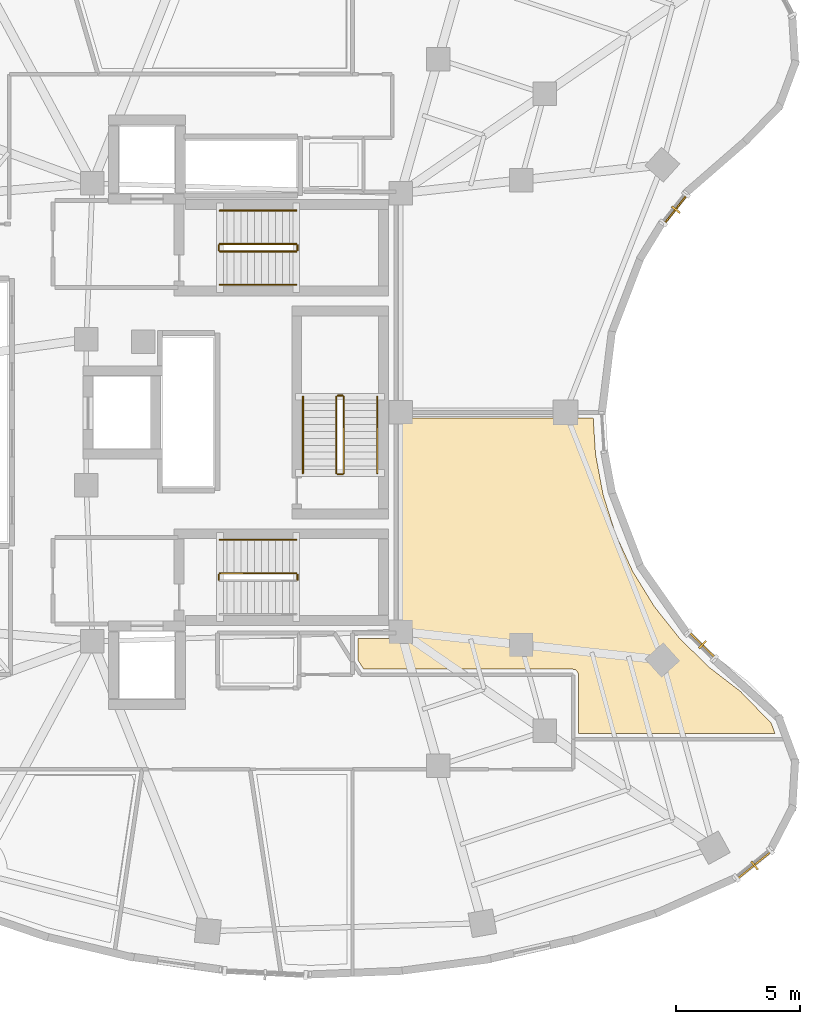
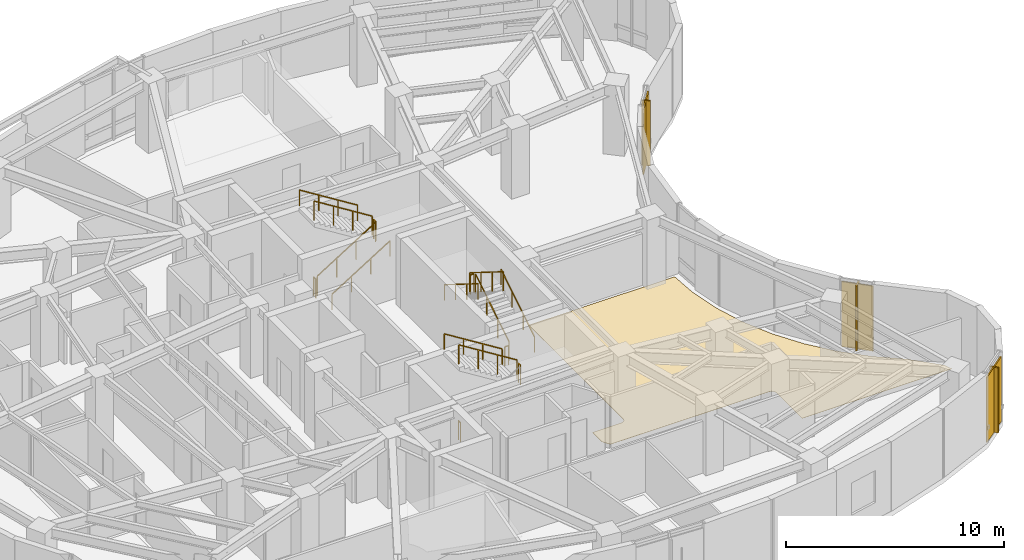
# One storey, part 14 of 15: 16 railings, 6 shading devices, 1 covering.
"""IFC4 building model written with IfcOpenShell, lengths in metres."""

from ifc_helpers import new_model, si_unit, direction, frame, origin, origin_2d, place, context, subcontext, project, spatial, polyline, rectangle, outline, extrude, material, layer, layer_set, type_object, element, save


model = new_model("IFC4")

# Units and contexts
model_context = context("Model", 3, precision=1e-05, world=origin(), true_north=direction((0.0, 1.0)))
body_context = subcontext(model_context, "Body", "Model", "MODEL_VIEW")
ifc_project = project(units=[si_unit("LENGTHUNIT", "METRE"), si_unit("AREAUNIT", "SQUARE_METRE"), si_unit("VOLUMEUNIT", "CUBIC_METRE"), si_unit("PLANEANGLEUNIT", "RADIAN"), si_unit("MASSUNIT", "GRAM", prefix="KILO")], contexts=[model_context])

# Site, building, storey
site_placement = place(None, origin())
site = spatial("IfcSite", under=ifc_project, at=site_placement, CompositionType="ELEMENT")
building_placement = place(site_placement, origin())
building = spatial("IfcBuilding", under=site, at=building_placement, Name="Korentha Bioscience Tower", CompositionType="ELEMENT")
storey_placement = place(building_placement, frame((0.0, 0.0, 235.199951171875)))
storey = spatial("IfcBuildingStorey", under=building, at=storey_placement, Name="L54", CompositionType="ELEMENT", Elevation=235.199951171875)

# Railings
ifc_material_1 = material(Name="Stainless Steel 304", Category="steel")
railing_type_1 = type_object("IfcRailingType", Name="Brushed Stainless Stair Handrail 900", PredefinedType="HANDRAIL", material=ifc_material_1)
railing_1_placement = place(storey_placement, frame((30.25, 32.14990234375, 0.175048828125)))
element("IfcRailing", 1, at=railing_1_placement, inside=storey, type_object=railing_type_1, Name="L54 ST-1 stair handrail 1", PredefinedType="HANDRAIL", context=body_context, shape_type="SweptSolid", body=[
    extrude(rectangle(XDim=0.048095703125, YDim=0.048095703125, at=origin_2d()), frame((0.0, 0.0, 0.8759765625), z_axis=(0.847998304005, 0.0, 0.529998940003), x_axis=(0.0, 1.0, 0.0)), (0.0, 0.0, 1.0), 3.632080078125),
    extrude(rectangle(XDim=0.0419921875, YDim=0.0419921875, at=origin_2d()), origin(), (0.0, 0.0, 1.0), 0.851806640625),
    extrude(rectangle(XDim=0.0419921875, YDim=0.0419921875, at=origin_2d()), frame((1.026611328125, 0.0, 0.6416015625)), (0.0, 0.0, 1.0), 0.851806640625),
    extrude(rectangle(XDim=0.0419921875, YDim=0.0419921875, at=origin_2d()), frame((2.053466796875, 0.0, 1.283447265625)), (0.0, 0.0, 1.0), 0.851806640625),
    extrude(rectangle(XDim=0.0419921875, YDim=0.0419921875, at=origin_2d()), frame((3.080078125, 0.0, 1.925048828125)), (0.0, 0.0, 1.0), 0.851806640625),
])
for number, where, name in (
    (2, (33.330078125, 35.14990234375, 2.275146484375), "L54 ST-1 stair handrail 2"),
    (3, (33.330078125, 21.85009765625, 2.275146484375), "L54 ST-2 stair handrail 2"),
):
    element("IfcRailing", number, at=place(storey_placement, frame(where)), inside=storey, type_object=railing_type_1, Name=name, PredefinedType="HANDRAIL", context=body_context, shape_type="SweptSolid", body=[
        extrude(rectangle(XDim=0.048095703125, YDim=0.048095703125, at=origin_2d()), frame((0.0, 0.0, 0.8759765625), z_axis=(-0.848028513186, 0.0, 0.529950602248), x_axis=(0.0, -1.0, 0.0)), (0.0, 0.0, 1.0), 3.632080078125),
        extrude(rectangle(XDim=0.0419921875, YDim=0.0419921875, at=origin_2d()), origin(), (0.0, 0.0, 1.0), 0.851806640625),
        extrude(rectangle(XDim=0.0419921875, YDim=0.0419921875, at=origin_2d()), frame((-1.026611328125, 0.0, 0.6416015625)), (0.0, 0.0, 1.0), 0.851806640625),
        extrude(rectangle(XDim=0.0419921875, YDim=0.0419921875, at=origin_2d()), frame((-2.053466796875, 0.0, 1.283203125)), (0.0, 0.0, 1.0), 0.851806640625),
        extrude(rectangle(XDim=0.0419921875, YDim=0.0419921875, at=origin_2d()), frame((-3.080078125, 0.0, 1.9248046875)), (0.0, 0.0, 1.0), 0.851806640625),
    ])
railing_2_placement = place(storey_placement, frame((36.60009765625, 24.550048828125, 0.175048828125)))
element("IfcRailing", 4, at=railing_2_placement, inside=storey, type_object=railing_type_1, Name="L54 ST-3 stair handrail 1", PredefinedType="HANDRAIL", context=body_context, shape_type="SweptSolid", body=[
    extrude(rectangle(XDim=0.048095703125, YDim=0.048095703125, at=origin_2d()), frame((0.0, 0.0, 0.8759765625), z_axis=(0.0, 0.847979421464, 0.530029150871), x_axis=(-1.0, 0.0, 0.0)), (0.0, 0.0, 1.0), 3.632080078125),
    extrude(rectangle(XDim=0.0419921875, YDim=0.0419921875, at=origin_2d()), origin(), (0.0, 0.0, 1.0), 0.851806640625),
    extrude(rectangle(XDim=0.0419921875, YDim=0.0419921875, at=origin_2d()), frame((0.0, 1.026611328125, 0.6416015625)), (0.0, 0.0, 1.0), 0.851806640625),
    extrude(rectangle(XDim=0.0419921875, YDim=0.0419921875, at=origin_2d()), frame((0.0, 2.05322265625, 1.283447265625)), (0.0, 0.0, 1.0), 0.851806640625),
    extrude(rectangle(XDim=0.0419921875, YDim=0.0419921875, at=origin_2d()), frame((0.0, 3.079833984375, 1.925048828125)), (0.0, 0.0, 1.0), 0.851806640625),
])
railing_3_placement = place(storey_placement, frame((33.60009765625, 27.6298828125, 2.275146484375)))
element("IfcRailing", 5, at=railing_3_placement, inside=storey, type_object=railing_type_1, Name="L54 ST-3 stair handrail 2", PredefinedType="HANDRAIL", context=body_context, shape_type="SweptSolid", body=[
    extrude(rectangle(XDim=0.048095703125, YDim=0.048095703125, at=origin_2d()), frame((0.0, 0.0, 0.8759765625), z_axis=(0.0, -0.848009633417, 0.529980812513), x_axis=(1.0, 0.0, 0.0)), (0.0, 0.0, 1.0), 3.6318359375),
    extrude(rectangle(XDim=0.0419921875, YDim=0.0419921875, at=origin_2d()), origin(), (0.0, 0.0, 1.0), 0.851806640625),
    extrude(rectangle(XDim=0.0419921875, YDim=0.0419921875, at=origin_2d()), frame((0.0, -1.026611328125, 0.6416015625)), (0.0, 0.0, 1.0), 0.851806640625),
    extrude(rectangle(XDim=0.0419921875, YDim=0.0419921875, at=origin_2d()), frame((0.0, -2.05322265625, 1.283203125)), (0.0, 0.0, 1.0), 0.851806640625),
    extrude(rectangle(XDim=0.0419921875, YDim=0.0419921875, at=origin_2d()), frame((0.0, -3.079833984375, 1.9248046875)), (0.0, 0.0, 1.0), 0.851806640625),
])
ifc_material_2 = material(Name="Painted Steel S275", Category="steel")
railing_type_2 = type_object("IfcRailingType", Name="Painted Steel Stair Well Guardrail 1100", PredefinedType="GUARDRAIL", material=ifc_material_2)
railing_4_placement = place(storey_placement, frame((30.25, 33.5, 0.175048828125)))
element("IfcRailing", 6, at=railing_4_placement, inside=storey, type_object=railing_type_2, Name="L54 ST-1 stair guard 1", PredefinedType="GUARDRAIL", context=body_context, shape_type="SweptSolid", body=[
    extrude(rectangle(XDim=0.048095703125, YDim=0.048095703125, at=origin_2d()), frame((0.0, 0.0, 1.076171875), z_axis=(0.847998304005, 0.0, 0.529998940003), x_axis=(0.0, 1.0, 0.0)), (0.0, 0.0, 1.0), 3.632080078125),
    extrude(rectangle(XDim=0.0419921875, YDim=0.0419921875, at=origin_2d()), origin(), (0.0, 0.0, 1.0), 1.052001953125),
    extrude(rectangle(XDim=0.0419921875, YDim=0.0419921875, at=origin_2d()), frame((1.026611328125, 0.0, 0.6416015625)), (0.0, 0.0, 1.0), 1.052001953125),
    extrude(rectangle(XDim=0.0419921875, YDim=0.0419921875, at=origin_2d()), frame((2.053466796875, 0.0, 1.283447265625)), (0.0, 0.0, 1.0), 1.052001953125),
    extrude(rectangle(XDim=0.0419921875, YDim=0.0419921875, at=origin_2d()), frame((3.080078125, 0.0, 1.925048828125)), (0.0, 0.0, 1.0), 1.052001953125),
])
railing_5_placement = place(storey_placement, frame((33.3798828125, 33.550048828125, 2.10009765625)))
element("IfcRailing", 7, at=railing_5_placement, inside=storey, type_object=railing_type_2, Name="L54 ST-1 stair guard 2", PredefinedType="GUARDRAIL", context=body_context, shape_type="SweptSolid", body=[
    extrude(rectangle(XDim=0.048095703125, YDim=0.048095703125, at=origin_2d()), frame((0.0, 0.0, 1.076171875), z_axis=(0.0, 1.0, 0.0), x_axis=(-1.0, 0.0, 0.0)), (0.0, 0.0, 1.0), 0.199951171875),
    extrude(rectangle(XDim=0.0419921875, YDim=0.0419921875, at=origin_2d()), origin(), (0.0, 0.0, 1.0), 1.052001953125),
    extrude(rectangle(XDim=0.0419921875, YDim=0.0419921875, at=origin_2d()), frame((0.0, 0.199951171875, 0.0)), (0.0, 0.0, 1.0), 1.052001953125),
])
railing_6_placement = place(storey_placement, frame((33.330078125, 33.800048828125, 2.275146484375)))
element("IfcRailing", 8, at=railing_6_placement, inside=storey, type_object=railing_type_2, Name="L54 ST-1 stair guard 3", PredefinedType="GUARDRAIL", context=body_context, shape_type="SweptSolid", body=[
    extrude(rectangle(XDim=0.048095703125, YDim=0.048095703125, at=origin_2d()), frame((0.0, 0.0, 1.076171875), z_axis=(-0.848028513186, 0.0, 0.529950602248), x_axis=(0.0, -1.0, 0.0)), (0.0, 0.0, 1.0), 3.632080078125),
    extrude(rectangle(XDim=0.0419921875, YDim=0.0419921875, at=origin_2d()), origin(), (0.0, 0.0, 1.0), 1.052001953125),
    extrude(rectangle(XDim=0.0419921875, YDim=0.0419921875, at=origin_2d()), frame((-1.026611328125, 0.0, 0.6416015625)), (0.0, 0.0, 1.0), 1.052001953125),
    extrude(rectangle(XDim=0.0419921875, YDim=0.0419921875, at=origin_2d()), frame((-2.053466796875, 0.0, 1.283203125)), (0.0, 0.0, 1.0), 1.052001953125),
    extrude(rectangle(XDim=0.0419921875, YDim=0.0419921875, at=origin_2d()), frame((-3.080078125, 0.0, 1.9248046875)), (0.0, 0.0, 1.0), 1.052001953125),
])
for number, where, name in (
    (9, (30.199951171875, 33.550048828125, 0.0), "L54 ST-1 stair guard 4"),
    (10, (33.3798828125, 20.25, 2.10009765625), "L54 ST-2 stair guard 2"),
):
    element("IfcRailing", number, at=place(storey_placement, frame(where)), inside=storey, type_object=railing_type_2, Name=name, PredefinedType="GUARDRAIL", context=body_context, shape_type="SweptSolid", body=[
        extrude(rectangle(XDim=0.048095703125, YDim=0.048095703125, at=origin_2d()), frame((0.0, 0.0, 1.076171875), z_axis=(0.0, 1.0, 0.0), x_axis=(-1.0, 0.0, 0.0)), (0.0, 0.0, 1.0), 0.199951171875),
        extrude(rectangle(XDim=0.0419921875, YDim=0.0419921875, at=origin_2d()), origin(), (0.0, 0.0, 1.0), 1.052001953125),
        extrude(rectangle(XDim=0.0419921875, YDim=0.0419921875, at=origin_2d()), frame((0.0, 0.199951171875, 0.0)), (0.0, 0.0, 1.0), 1.052001953125),
    ])
railing_7_placement = place(storey_placement, frame((33.330078125, 20.5, 2.275146484375)))
element("IfcRailing", 11, at=railing_7_placement, inside=storey, type_object=railing_type_2, Name="L54 ST-2 stair guard 3", PredefinedType="GUARDRAIL", context=body_context, shape_type="SweptSolid", body=[
    extrude(rectangle(XDim=0.048095703125, YDim=0.048095703125, at=origin_2d()), frame((0.0, 0.0, 1.076171875), z_axis=(-0.848028513186, 0.0, 0.529950602248), x_axis=(0.0, -1.0, 0.0)), (0.0, 0.0, 1.0), 3.632080078125),
    extrude(rectangle(XDim=0.0419921875, YDim=0.0419921875, at=origin_2d()), origin(), (0.0, 0.0, 1.0), 1.052001953125),
    extrude(rectangle(XDim=0.0419921875, YDim=0.0419921875, at=origin_2d()), frame((-1.026611328125, 0.0, 0.6416015625)), (0.0, 0.0, 1.0), 1.052001953125),
    extrude(rectangle(XDim=0.0419921875, YDim=0.0419921875, at=origin_2d()), frame((-2.053466796875, 0.0, 1.283203125)), (0.0, 0.0, 1.0), 1.052001953125),
    extrude(rectangle(XDim=0.0419921875, YDim=0.0419921875, at=origin_2d()), frame((-3.080078125, 0.0, 1.9248046875)), (0.0, 0.0, 1.0), 1.052001953125),
])
railing_8_placement = place(storey_placement, frame((30.199951171875, 20.25, 0.0)))
element("IfcRailing", 12, at=railing_8_placement, inside=storey, type_object=railing_type_2, Name="L54 ST-2 stair guard 4", PredefinedType="GUARDRAIL", context=body_context, shape_type="SweptSolid", body=[
    extrude(rectangle(XDim=0.048095703125, YDim=0.048095703125, at=origin_2d()), frame((0.0, 0.0, 1.076171875), z_axis=(0.0, 1.0, 0.0), x_axis=(-1.0, 0.0, 0.0)), (0.0, 0.0, 1.0), 0.199951171875),
    extrude(rectangle(XDim=0.0419921875, YDim=0.0419921875, at=origin_2d()), origin(), (0.0, 0.0, 1.0), 1.052001953125),
    extrude(rectangle(XDim=0.0419921875, YDim=0.0419921875, at=origin_2d()), frame((0.0, 0.199951171875, 0.0)), (0.0, 0.0, 1.0), 1.052001953125),
])
railing_9_placement = place(storey_placement, frame((35.25, 24.550048828125, 0.175048828125)))
element("IfcRailing", 13, at=railing_9_placement, inside=storey, type_object=railing_type_2, Name="L54 ST-3 stair guard 1", PredefinedType="GUARDRAIL", context=body_context, shape_type="SweptSolid", body=[
    extrude(rectangle(XDim=0.048095703125, YDim=0.048095703125, at=origin_2d()), frame((0.0, 0.0, 1.076171875), z_axis=(0.0, 0.847979421464, 0.530029150871), x_axis=(-1.0, 0.0, 0.0)), (0.0, 0.0, 1.0), 3.632080078125),
    extrude(rectangle(XDim=0.0419921875, YDim=0.0419921875, at=origin_2d()), origin(), (0.0, 0.0, 1.0), 1.052001953125),
    extrude(rectangle(XDim=0.0419921875, YDim=0.0419921875, at=origin_2d()), frame((0.0, 1.026611328125, 0.6416015625)), (0.0, 0.0, 1.0), 1.052001953125),
    extrude(rectangle(XDim=0.0419921875, YDim=0.0419921875, at=origin_2d()), frame((0.0, 2.05322265625, 1.283447265625)), (0.0, 0.0, 1.0), 1.052001953125),
    extrude(rectangle(XDim=0.0419921875, YDim=0.0419921875, at=origin_2d()), frame((0.0, 3.079833984375, 1.925048828125)), (0.0, 0.0, 1.0), 1.052001953125),
])
railing_10_placement = place(storey_placement, frame((35.199951171875, 27.679931640625, 2.10009765625)))
element("IfcRailing", 14, at=railing_10_placement, inside=storey, type_object=railing_type_2, Name="L54 ST-3 stair guard 2", PredefinedType="GUARDRAIL", context=body_context, shape_type="SweptSolid", body=[
    extrude(rectangle(XDim=0.048095703125, YDim=0.048095703125, at=origin_2d()), frame((0.0, 0.0, 1.076171875), z_axis=(-1.0, 0.0, 0.0), x_axis=(0.0, -1.0, 0.0)), (0.0, 0.0, 1.0), 0.199951171875),
    extrude(rectangle(XDim=0.0419921875, YDim=0.0419921875, at=origin_2d()), origin(), (0.0, 0.0, 1.0), 1.052001953125),
    extrude(rectangle(XDim=0.0419921875, YDim=0.0419921875, at=origin_2d()), frame((-0.199951171875, 0.0, 0.0)), (0.0, 0.0, 1.0), 1.052001953125),
])
railing_11_placement = place(storey_placement, frame((34.949951171875, 27.6298828125, 2.275146484375)))
element("IfcRailing", 15, at=railing_11_placement, inside=storey, type_object=railing_type_2, Name="L54 ST-3 stair guard 3", PredefinedType="GUARDRAIL", context=body_context, shape_type="SweptSolid", body=[
    extrude(rectangle(XDim=0.048095703125, YDim=0.048095703125, at=origin_2d()), frame((0.0, 0.0, 1.076171875), z_axis=(0.0, -0.848009633417, 0.529980812513), x_axis=(1.0, 0.0, 0.0)), (0.0, 0.0, 1.0), 3.6318359375),
    extrude(rectangle(XDim=0.0419921875, YDim=0.0419921875, at=origin_2d()), origin(), (0.0, 0.0, 1.0), 1.052001953125),
    extrude(rectangle(XDim=0.0419921875, YDim=0.0419921875, at=origin_2d()), frame((0.0, -1.026611328125, 0.6416015625)), (0.0, 0.0, 1.0), 1.052001953125),
    extrude(rectangle(XDim=0.0419921875, YDim=0.0419921875, at=origin_2d()), frame((0.0, -2.05322265625, 1.283203125)), (0.0, 0.0, 1.0), 1.052001953125),
    extrude(rectangle(XDim=0.0419921875, YDim=0.0419921875, at=origin_2d()), frame((0.0, -3.079833984375, 1.9248046875)), (0.0, 0.0, 1.0), 1.052001953125),
])
railing_12_placement = place(storey_placement, frame((35.199951171875, 24.5, 0.0)))
element("IfcRailing", 16, at=railing_12_placement, inside=storey, type_object=railing_type_2, Name="L54 ST-3 stair guard 4", PredefinedType="GUARDRAIL", context=body_context, shape_type="SweptSolid", body=[
    extrude(rectangle(XDim=0.048095703125, YDim=0.048095703125, at=origin_2d()), frame((0.0, 0.0, 1.076171875), z_axis=(-1.0, 0.0, 0.0), x_axis=(0.0, -1.0, 0.0)), (0.0, 0.0, 1.0), 0.199951171875),
    extrude(rectangle(XDim=0.0419921875, YDim=0.0419921875, at=origin_2d()), origin(), (0.0, 0.0, 1.0), 1.052001953125),
    extrude(rectangle(XDim=0.0419921875, YDim=0.0419921875, at=origin_2d()), frame((-0.199951171875, 0.0, 0.0)), (0.0, 0.0, 1.0), 1.052001953125),
])

# Shading devices
ifc_material_3 = material(Name="Perforated Stone-Ceramic Composite", Category="masonry")
ifc_layer_1 = layer(ifc_material_3, 0.06494140625, Name="Perforated Stone-Ceramic Composite")
ifc_layer_set_1 = layer_set([ifc_layer_1], Name="Perforated Stone-Ceramic Composite (CS-01)")
shading_device_type_1 = type_object("IfcShadingDeviceType", Name="Perforated Stone-Ceramic Solar Screen Panel 65", PredefinedType="USERDEFINED", material=ifc_layer_set_1)
shading_device_placement = place(storey_placement, frame((51.822998046875, 8.712890625, 0.0), z_axis=(0.0, 0.0, 1.0), x_axis=(0.779197616162, 0.626778330008, 0.0)))
element("IfcShadingDevice", 17, at=shading_device_placement, inside=storey, type_object=shading_device_type_1, Name="CW-L54-37 Perforated Stone-Ceramic Solar Screen", ObjectType="SCREEN", PredefinedType="USERDEFINED", context=body_context, shape_type="SweptSolid", body=[
    extrude(rectangle(XDim=1.83154296875, YDim=0.06494140625, at=origin_2d()), origin(), (0.0, 0.0, 1.0), 3.64990234375),
])
for number, where, z_axis, x_axis, name in (
    (18, (49.7216796875, 17.6083984375, 0.0), (0.0, 0.0, 1.0), (-0.713258270268, 0.700901305388, 0.0), "CW-L54-43 Perforated Stone-Ceramic Solar Screen"),
    (19, (48.64599609375, 35.19677734375, 0.0), (0.0, 0.0, 1.0), (0.622511989066, 0.782610262819, 0.0), "CW-L54-55 Perforated Stone-Ceramic Solar Screen"),
):
    element("IfcShadingDevice", number, at=place(storey_placement, frame(where, z_axis=z_axis, x_axis=x_axis)), inside=storey, type_object=shading_device_type_1, Name=name, ObjectType="SCREEN", PredefinedType="USERDEFINED", context=body_context, shape_type="SweptSolid", body=[
        extrude(rectangle(XDim=1.50341796875, YDim=0.06494140625, at=origin_2d()), origin(), (0.0, 0.0, 1.0), 3.64990234375),
    ])

# Covering
ifc_material_4 = material(Name="Chemical-Resistant Epoxy Resin", Category="polymer")
ifc_layer_2 = layer(ifc_material_4, 0.011962890625, Name="Chemical-Resistant Epoxy Resin")
ifc_layer_set_2 = layer_set([ifc_layer_2], Name="Chemical-Resistant Epoxy Resin (FL-EPX)")
covering_type = type_object("IfcCoveringType", Name="Seamless Epoxy Laboratory Flooring 12", PredefinedType="FLOORING", material=ifc_layer_set_2)
covering_placement = place(storey_placement, origin())
element("IfcCovering", 20, at=covering_placement, inside=storey, type_object=covering_type, Name="L54 Bioinformatics Data Collaboration Hub 07 Floor Finish", PredefinedType="FLOORING", context=body_context, shape_type="SweptSolid", body=[
    extrude(outline(polyline([(35.822021484375, 17.8701171875), (37.38330078125, 17.872314453125), (37.5048828125, 17.929931640625), (37.5576171875, 18.001220703125), (37.577392578125, 18.06591796875), (37.580078125, 26.778076171875), (45.321533203125, 26.778076171875), (45.413330078125, 25.3203125), (45.718994140625, 23.682861328125), (46.221923828125, 22.094970703125), (46.917724609375, 20.57421875), (47.78662109375, 19.161376953125), (48.801513671875, 17.885498046875), (49.988037109375, 16.71630859375), (51.26708984375, 15.731689453125), (52.51025390625, 14.448486328125), (52.664794921875, 14.028076171875), (44.72998046875, 14.028076171875), (44.729736328125, 16.411865234375), (44.68505859375, 16.53662109375), (44.597900390625, 16.608154296875), (44.5, 16.6298828125), (36.05126953125, 16.6298828125), (35.822021484375, 16.9951171875), (35.822021484375, 17.8701171875)])), origin(), (0.0, 0.0, 1.0), 0.011962890625),
])

# Shading devices
ifc_material_5 = material(Name="Honed Travertine Limestone", Category="masonry")
ifc_layer_3 = layer(ifc_material_5, 0.080078125, Name="Honed Travertine Limestone")
ifc_layer_set_3 = layer_set([ifc_layer_3], Name="Honed Travertine Limestone (CS-02)")
shading_device_type_2 = type_object("IfcShadingDeviceType", Name="Vertical Honed Limestone Sunshade Fin 80x420", PredefinedType="USERDEFINED", material=ifc_layer_set_3)
for number, where, z_axis, x_axis, name in (
    (21, (51.83544921875, 8.697265625, 0.0), (0.0, 0.0, 1.0), (0.779197616162, 0.626778330008, 0.0), "CW-L54-37 Limestone Sunshade Fin"),
    (22, (49.735595703125, 17.622802734375, 0.0), (0.0, 0.0, 1.0), (-0.713258270268, 0.700901305388, 0.0), "CW-L54-43 Limestone Sunshade Fin"),
    (23, (48.66162109375, 35.184326171875, 0.0), (0.0, 0.0, 1.0), (0.622511989066, 0.782610262819, 0.0), "CW-L54-55 Limestone Sunshade Fin"),
):
    element("IfcShadingDevice", number, at=place(storey_placement, frame(where, z_axis=z_axis, x_axis=x_axis)), inside=storey, type_object=shading_device_type_2, Name=name, ObjectType="SCREEN", PredefinedType="USERDEFINED", context=body_context, shape_type="SweptSolid", body=[
        extrude(rectangle(XDim=0.080078125, YDim=0.419921875, at=origin_2d()), origin(), (0.0, 0.0, 1.0), 3.64990234375),
    ])

save(model, "model.ifc")
